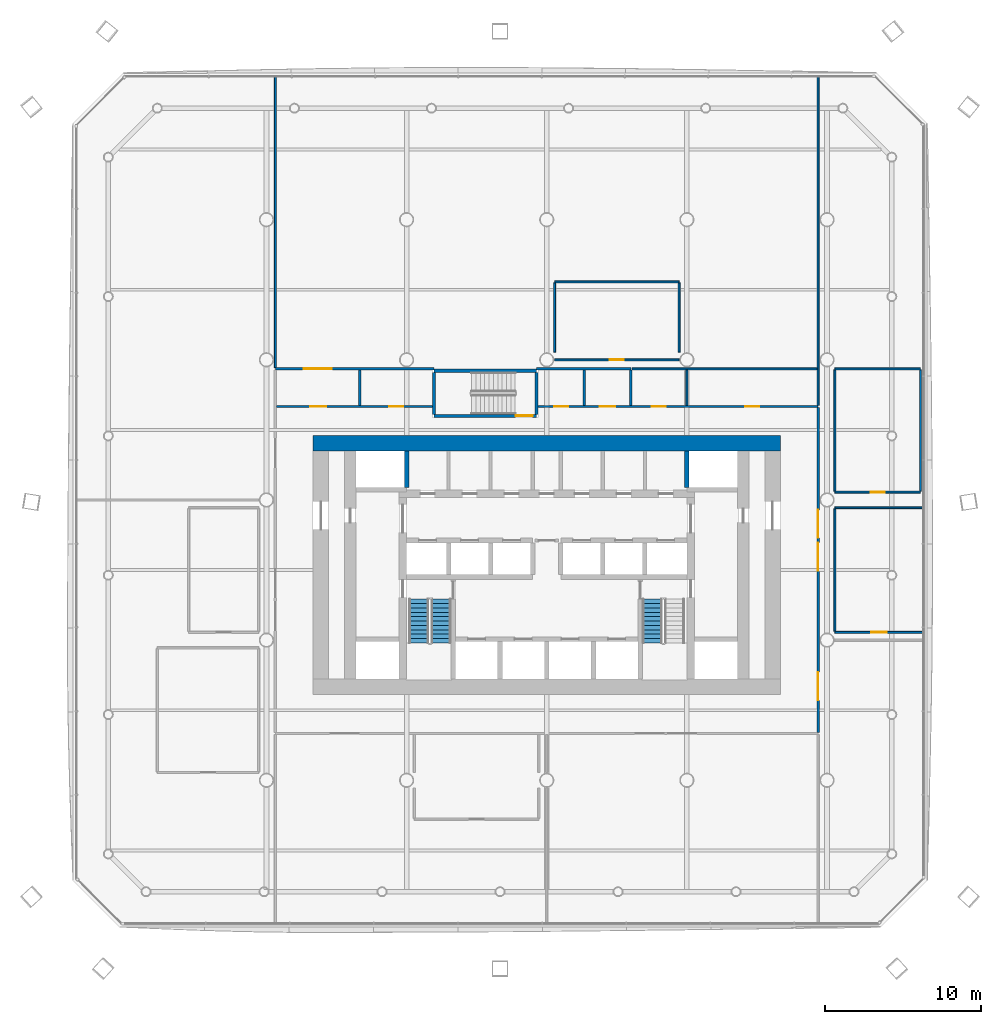
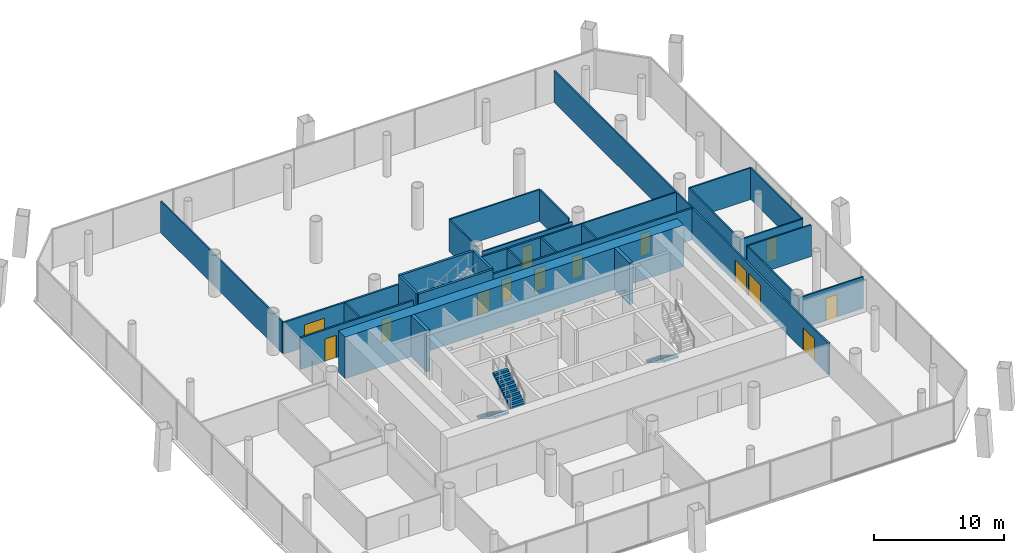
# One storey, part 16 of 22: 30 walls, 14 doors, 3 stair flights, 14 openings, 2 elements without a shape of their own.
"""IFC4 building model written with IfcOpenShell, lengths in metres."""

from ifc_helpers import new_model, si_unit, direction, frame, frame_2d, origin, place, context, subcontext, project, spatial, polyline, rectangle, outline, extrude, material, layer, layer_set, type_object, element, fill, aggregate, save


model = new_model("IFC4")

# Units and contexts
model_context = context("Model", 3, precision=1e-05, world=origin(), true_north=direction((0.0, 1.0)))
body_context = subcontext(model_context, "Body", "Model", "MODEL_VIEW")
ifc_project = project(units=[si_unit("LENGTHUNIT", "METRE"), si_unit("AREAUNIT", "SQUARE_METRE"), si_unit("VOLUMEUNIT", "CUBIC_METRE"), si_unit("PLANEANGLEUNIT", "RADIAN"), si_unit("MASSUNIT", "GRAM", prefix="KILO")], contexts=[model_context])

# Site, building, storey
site_placement = place(None, origin())
site = spatial("IfcSite", under=ifc_project, at=site_placement, CompositionType="ELEMENT")
building_placement = place(site_placement, origin())
building = spatial("IfcBuilding", under=site, at=building_placement, Name="Tskaro Facet Tower", CompositionType="ELEMENT")
storey_placement = place(building_placement, frame((0.0, 0.0, 26.39990234375)))
storey = spatial("IfcBuildingStorey", under=building, at=storey_placement, Name="L05", CompositionType="ELEMENT", Elevation=26.39990234375)

# Walls
ifc_material_1 = material(Name="Concrete C60/75", Category="concrete")
ifc_layer_1 = layer(ifc_material_1, 0.300048828125, Name="Concrete C60/75")
ifc_layer_set_1 = layer_set([ifc_layer_1], Name="Concrete C60/75")
wall_type_1 = type_object("IfcWallType", Name="CORE-SHAFT", PredefinedType="SHEAR", material=ifc_layer_set_1)
for number, where, z_axis, x_axis, name in (
    (1, (-9.0, 0.800048828125, 0.0), (0.0, 0.0, 1.0), (0.0, 1.0, 0.0), "Shaft wall W040"),
    (2, (9.0, 0.800048828125, 0.0), (0.0, 0.0, 1.0), (0.0, 1.0, 0.0), "Shaft wall W070"),
):
    element("IfcWall", number, at=place(storey_placement, frame(where, z_axis=z_axis, x_axis=x_axis)), inside=storey, type_object=wall_type_1, Name=name, PredefinedType="SHEAR", context=body_context, shape_type="SweptSolid", body=[
        extrude(rectangle(XDim=2.349853515625, YDim=0.300048828125, at=frame_2d((1.1748046875, 0.0))), origin(), (0.0, 0.0, 1.0), 3.900146484375),
    ])
ifc_layer_2 = layer(ifc_material_1, 1.0, Name="Concrete C60/75")
ifc_layer_set_2 = layer_set([ifc_layer_2], Name="Concrete C60/75")
wall_type_2 = type_object("IfcWallType", Name="Core wall 1000", PredefinedType="SHEAR", material=ifc_layer_set_2)
wall_1_placement = place(storey_placement, frame((-15.0, 3.64990234375, 0.0), z_axis=(0.0, 0.0, 1.0), x_axis=(1.0, 0.0, 0.0)))
element("IfcWall", 3, at=wall_1_placement, inside=storey, type_object=wall_type_2, Name="Core wall CW-Z1N", PredefinedType="SHEAR", context=body_context, shape_type="SweptSolid", body=[
    extrude(rectangle(XDim=30.0, YDim=1.0, at=frame_2d((15.0, 0.0))), origin(), (0.0, 0.0, 1.0), 3.900146484375),
])

# Wall, opening, door
ifc_material_2 = material(Name="Gypsum board on steel studs", Category="steel")
ifc_layer_3 = layer(ifc_material_2, 0.125, Name="Gypsum board on steel studs")
ifc_layer_set_3 = layer_set([ifc_layer_3], Name="Gypsum board on steel studs")
wall_type_3 = type_object("IfcWallType", Name="PART", PredefinedType="PARTITIONING", material=ifc_layer_set_3)
wall_2_placement = place(storey_placement, frame((18.5, -8.5, 0.0), z_axis=(0.0, 0.0, 1.0), x_axis=(1.0, 0.0, 0.0)))
wall_2 = element("IfcWall", 4, at=wall_2_placement, inside=storey, type_object=wall_type_3, Name="Partition W010", PredefinedType="PARTITIONING", context=body_context, shape_type="SweptSolid", body=[
    extrude(rectangle(XDim=5.652099609375, YDim=0.125, at=frame_2d((2.826171875, 0.0))), origin(), (0.0, 0.0, 1.0), 2.960205078125),
])
opening_1_placement = place(wall_2_placement, frame((2.325927734375, 0.0, 0.0)))
opening_1 = element("IfcOpeningElement", 5, at=opening_1_placement, cuts=wall_2, Name="Opening T1-D10", PredefinedType="OPENING", context=body_context, shape_type="SweptSolid", body=[
    extrude(rectangle(XDim=1.0, YDim=2.10009765625, at=frame_2d((0.5, 1.050048828125))), frame((0.0, 0.072509765625, 0.0), z_axis=(0.0, -1.0, 0.0), x_axis=(1.0, 0.0, 0.0)), (0.0, 0.0, 1.0), 0.14501953125),
])
ifc_material_3 = material(Name="Timber", Category="wood")
door_type_1 = type_object("IfcDoorType", Name="D-ROOM-WIDE", OperationType="NOTDEFINED", PredefinedType="DOOR", material=ifc_material_3)
door_1_placement = place(opening_1_placement, origin())
door_1 = element("IfcDoor", 6, at=door_1_placement, inside=storey, type_object=door_type_1, Name="Door T1-D10", OperationType="SINGLE_SWING_LEFT", OverallHeight=2.10009765625, OverallWidth=1.0, PredefinedType="DOOR", context=body_context, shape_type="SweptSolid", body=[
    extrude(rectangle(XDim=1.0, YDim=2.10009765625, at=frame_2d((0.5, 1.050048828125))), frame((0.0, 0.02490234375, 0.0), z_axis=(0.0, -1.0, 0.0), x_axis=(1.0, 0.0, 0.0)), (0.0, 0.0, 1.0), 0.050048828125),
])
fill(opening_1, door_1)

# Wall
wall_3_placement = place(storey_placement, frame((18.5, -0.5, 0.0), z_axis=(0.0, 0.0, 1.0), x_axis=(1.0, 0.0, 0.0)))
element("IfcWall", 7, at=wall_3_placement, inside=storey, type_object=wall_type_3, Name="Partition W017", PredefinedType="PARTITIONING", context=body_context, shape_type="SweptSolid", body=[
    extrude(rectangle(XDim=5.652099609375, YDim=0.125, at=frame_2d((2.826171875, 0.0))), origin(), (0.0, 0.0, 1.0), 2.960205078125),
])

# Wall, opening, door
wall_4_placement = place(storey_placement, frame((18.5, 0.5, 0.0), z_axis=(0.0, 0.0, 1.0), x_axis=(1.0, 0.0, 0.0)))
wall_4 = element("IfcWall", 8, at=wall_4_placement, inside=storey, type_object=wall_type_3, Name="Partition W019", PredefinedType="PARTITIONING", context=body_context, shape_type="SweptSolid", body=[
    extrude(rectangle(XDim=5.5, YDim=0.125, at=frame_2d((2.75, 0.0))), origin(), (0.0, 0.0, 1.0), 2.960205078125),
])
opening_2_placement = place(wall_4_placement, frame((2.300048828125, 0.0, 0.0)))
opening_2 = element("IfcOpeningElement", 9, at=opening_2_placement, cuts=wall_4, Name="Opening T1-D28", PredefinedType="OPENING", context=body_context, shape_type="SweptSolid", body=[
    extrude(rectangle(XDim=0.89990234375, YDim=2.10009765625, at=frame_2d((0.449951171875, 1.050048828125))), frame((0.0, 0.072509765625, 0.0), z_axis=(0.0, -1.0, 0.0), x_axis=(1.0, 0.0, 0.0)), (0.0, 0.0, 1.0), 0.14501953125),
])
door_type_2 = type_object("IfcDoorType", Name="D-ROOM", OperationType="NOTDEFINED", PredefinedType="DOOR", material=ifc_material_3)
door_2_placement = place(opening_2_placement, origin())
door_2 = element("IfcDoor", 10, at=door_2_placement, inside=storey, type_object=door_type_2, Name="Door T1-D28", OperationType="SINGLE_SWING_LEFT", OverallHeight=2.10009765625, OverallWidth=0.89990234375, PredefinedType="DOOR", context=body_context, shape_type="SweptSolid", body=[
    extrude(rectangle(XDim=0.89990234375, YDim=2.10009765625, at=frame_2d((0.449951171875, 1.050048828125))), frame((0.0, 0.02490234375, 0.0), z_axis=(0.0, -1.0, 0.0), x_axis=(1.0, 0.0, 0.0)), (0.0, 0.0, 1.0), 0.050048828125),
])
fill(opening_2, door_2)

# Walls
wall_5_placement = place(storey_placement, frame((5.47509765625, 8.425048828125, 0.0), z_axis=(0.0, 0.0, 1.0), x_axis=(1.0, 0.0, 0.0)))
element("IfcWall", 11, at=wall_5_placement, inside=storey, type_object=wall_type_3, Name="Partition W028", PredefinedType="PARTITIONING", context=body_context, shape_type="SweptSolid", body=[
    extrude(rectangle(XDim=11.887451171875, YDim=0.125, at=frame_2d((5.94384765625, 0.0))), origin(), (0.0, 0.0, 1.0), 2.960205078125),
])
wall_6_placement = place(storey_placement, frame((18.5, 8.425048828125, 0.0), z_axis=(0.0, 0.0, 1.0), x_axis=(1.0, 0.0, 0.0)))
element("IfcWall", 12, at=wall_6_placement, inside=storey, type_object=wall_type_3, Name="Partition W029", PredefinedType="PARTITIONING", context=body_context, shape_type="SweptSolid", body=[
    extrude(rectangle(XDim=5.5, YDim=0.125, at=frame_2d((2.75, 0.0))), origin(), (0.0, 0.0, 1.0), 2.960205078125),
])

# Wall, opening, door
wall_7_placement = place(storey_placement, frame((0.5, 9.0, 0.0), z_axis=(0.0, 0.0, 1.0), x_axis=(1.0, 0.0, 0.0)))
wall_7 = element("IfcWall", 13, at=wall_7_placement, inside=storey, type_object=wall_type_3, Name="Partition W030", PredefinedType="PARTITIONING", context=body_context, shape_type="SweptSolid", body=[
    extrude(rectangle(XDim=8.0, YDim=0.125, at=frame_2d((4.0, 0.0))), origin(), (0.0, 0.0, 1.0), 2.960205078125),
])
opening_3_placement = place(wall_7_placement, frame((3.550048828125, 0.0, 0.0)))
opening_3 = element("IfcOpeningElement", 14, at=opening_3_placement, cuts=wall_7, Name="Opening T1-D39", PredefinedType="OPENING", context=body_context, shape_type="SweptSolid", body=[
    extrude(rectangle(XDim=0.89990234375, YDim=2.10009765625, at=frame_2d((0.449951171875, 1.050048828125))), frame((0.0, 0.072509765625, 0.0), z_axis=(0.0, -1.0, 0.0), x_axis=(1.0, 0.0, 0.0)), (0.0, 0.0, 1.0), 0.14501953125),
])
door_3_placement = place(opening_3_placement, origin())
door_3 = element("IfcDoor", 15, at=door_3_placement, inside=storey, type_object=door_type_2, Name="Door T1-D39", OperationType="SINGLE_SWING_LEFT", OverallHeight=2.10009765625, OverallWidth=0.89990234375, PredefinedType="DOOR", context=body_context, shape_type="SweptSolid", body=[
    extrude(rectangle(XDim=0.89990234375, YDim=2.10009765625, at=frame_2d((0.449951171875, 1.050048828125))), frame((0.0, 0.02490234375, 0.0), z_axis=(0.0, -1.0, 0.0), x_axis=(1.0, 0.0, 0.0)), (0.0, 0.0, 1.0), 0.050048828125),
])
fill(opening_3, door_3)

# Walls
wall_8_placement = place(storey_placement, frame((0.5, 14.0, 0.0), z_axis=(0.0, 0.0, 1.0), x_axis=(1.0, 0.0, 0.0)))
element("IfcWall", 16, at=wall_8_placement, inside=storey, type_object=wall_type_3, Name="Partition W031", PredefinedType="PARTITIONING", context=body_context, shape_type="SweptSolid", body=[
    extrude(rectangle(XDim=8.0, YDim=0.125, at=frame_2d((4.0, 0.0))), origin(), (0.0, 0.0, 1.0), 2.960205078125),
])
wall_9_placement = place(storey_placement, frame((-17.425048828125, 8.5, 0.0), z_axis=(0.0, 0.0, 1.0), x_axis=(0.0, 1.0, 0.0)))
element("IfcWall", 17, at=wall_9_placement, inside=storey, type_object=wall_type_3, Name="Partition W038", PredefinedType="PARTITIONING", context=body_context, shape_type="SweptSolid", body=[
    extrude(rectangle(XDim=18.652099609375, YDim=0.125, at=frame_2d((9.326171875, 0.0))), origin(), (0.0, 0.0, 1.0), 2.960205078125),
])
for number, where, z_axis, x_axis, name in (
    (18, (0.5, 9.5, 0.0), (0.0, 0.0, 1.0), (0.0, 1.0, 0.0), "Partition W058"),
    (19, (8.5, 9.5, 0.0), (0.0, 0.0, 1.0), (0.0, 1.0, 0.0), "Partition W069"),
):
    element("IfcWall", number, at=place(storey_placement, frame(where, z_axis=z_axis, x_axis=x_axis)), inside=storey, type_object=wall_type_3, Name=name, PredefinedType="PARTITIONING", context=body_context, shape_type="SweptSolid", body=[
        extrude(rectangle(XDim=4.4375, YDim=0.125, at=frame_2d((2.21875, 0.0))), origin(), (0.0, 0.0, 1.0), 2.960205078125),
    ])
wall_10_placement = place(storey_placement, frame((9.0, 6.074951171875, 0.0), z_axis=(0.0, 0.0, 1.0), x_axis=(0.0, 1.0, 0.0)))
element("IfcWall", 20, at=wall_10_placement, inside=storey, type_object=wall_type_3, Name="Partition W071", PredefinedType="PARTITIONING", context=body_context, shape_type="SweptSolid", body=[
    extrude(rectangle(XDim=2.28759765625, YDim=0.125, at=frame_2d((1.143798828125, 0.0))), origin(), (0.0, 0.0, 1.0), 2.960205078125),
])
wall_11_placement = place(storey_placement, frame((17.425048828125, 6.074951171875, 0.0), z_axis=(0.0, 0.0, 1.0), x_axis=(0.0, 1.0, 0.0)))
element("IfcWall", 21, at=wall_11_placement, inside=storey, type_object=wall_type_3, Name="Partition W074", PredefinedType="PARTITIONING", context=body_context, shape_type="SweptSolid", body=[
    extrude(rectangle(XDim=21.0771484375, YDim=0.125, at=frame_2d((10.53857421875, 0.0))), origin(), (0.0, 0.0, 1.0), 2.960205078125),
])
wall_12_placement = place(storey_placement, frame((18.5, -8.4375, 0.0), z_axis=(0.0, 0.0, 1.0), x_axis=(0.0, 1.0, 0.0)))
element("IfcWall", 22, at=wall_12_placement, inside=storey, type_object=wall_type_3, Name="Partition W075", PredefinedType="PARTITIONING", context=body_context, shape_type="SweptSolid", body=[
    extrude(rectangle(XDim=7.875, YDim=0.125, at=frame_2d((3.9375, 0.0))), origin(), (0.0, 0.0, 1.0), 2.960205078125),
])
for number, where, z_axis, x_axis, name in (
    (23, (18.5, 0.5625, 0.0), (0.0, 0.0, 1.0), (0.0, 1.0, 0.0), "Partition W076"),
    (24, (24.0, 0.5625, 0.0), (0.0, 0.0, 1.0), (0.0, 1.0, 0.0), "Partition W077"),
):
    element("IfcWall", number, at=place(storey_placement, frame(where, z_axis=z_axis, x_axis=x_axis)), inside=storey, type_object=wall_type_3, Name=name, PredefinedType="PARTITIONING", context=body_context, shape_type="SweptSolid", body=[
        extrude(rectangle(XDim=7.800048828125, YDim=0.125, at=frame_2d((3.89990234375, 0.0))), origin(), (0.0, 0.0, 1.0), 2.960205078125),
    ])

# Wall, openings, doors
ifc_layer_4 = layer(ifc_material_2, 0.14990234375, Name="Gypsum board on steel studs")
ifc_layer_set_4 = layer_set([ifc_layer_4], Name="Gypsum board on steel studs")
wall_type_4 = type_object("IfcWallType", Name="PART-CORR", PredefinedType="PARTITIONING", material=ifc_layer_set_4)
wall_13_placement = place(storey_placement, frame((-7.35009765625, 6.0, 0.0), z_axis=(0.0, 0.0, 1.0), x_axis=(-1.0, 0.0, 0.0)))
wall_13 = element("IfcWall", 25, at=wall_13_placement, inside=storey, type_object=wall_type_4, Name="Corridor wall W023", PredefinedType="PARTITIONING", context=body_context, shape_type="SweptSolid", body=[
    extrude(rectangle(XDim=10.0, YDim=0.14990234375, at=frame_2d((5.0, 0.0))), origin(), (0.0, 0.0, 1.0), 2.960205078125),
])
opening_4_placement = place(wall_13_placement, frame((6.824951171875, 0.0, 0.0)))
opening_4 = element("IfcOpeningElement", 26, at=opening_4_placement, cuts=wall_13, Name="Opening T1-D32", PredefinedType="OPENING", context=body_context, shape_type="SweptSolid", body=[
    extrude(rectangle(XDim=1.0, YDim=2.10009765625, at=frame_2d((0.5, 1.050048828125))), frame((0.0, 0.0849609375, 0.0), z_axis=(0.0, -1.0, 0.0), x_axis=(1.0, 0.0, 0.0)), (0.0, 0.0, 1.0), 0.169921875),
])
opening_5_placement = place(wall_13_placement, frame((1.875, 0.0, 0.0)))
opening_5 = element("IfcOpeningElement", 27, at=opening_5_placement, cuts=wall_13, Name="Opening T1-D33", PredefinedType="OPENING", context=body_context, shape_type="SweptSolid", body=[
    extrude(rectangle(XDim=0.89990234375, YDim=2.10009765625, at=frame_2d((0.449951171875, 1.050048828125))), frame((0.0, 0.0849609375, 0.0), z_axis=(0.0, -1.0, 0.0), x_axis=(1.0, 0.0, 0.0)), (0.0, 0.0, 1.0), 0.169921875),
])
door_type_3 = type_object("IfcDoorType", Name="D-ENTRY", OperationType="NOTDEFINED", PredefinedType="DOOR", material=ifc_material_3)
door_4_placement = place(opening_4_placement, origin())
door_4 = element("IfcDoor", 28, at=door_4_placement, inside=storey, type_object=door_type_3, Name="Door T1-D32", OperationType="SINGLE_SWING_RIGHT", OverallHeight=2.10009765625, OverallWidth=1.0, PredefinedType="DOOR", context=body_context, shape_type="SweptSolid", body=[
    extrude(rectangle(XDim=1.0, YDim=2.10009765625, at=frame_2d((0.5, 1.050048828125))), frame((0.0, 0.02490234375, 0.0), z_axis=(0.0, -1.0, 0.0), x_axis=(1.0, 0.0, 0.0)), (0.0, 0.0, 1.0), 0.050048828125),
])
fill(opening_4, door_4)
door_5_placement = place(opening_5_placement, origin())
door_5 = element("IfcDoor", 29, at=door_5_placement, inside=storey, type_object=door_type_2, Name="Door T1-D33", OperationType="SINGLE_SWING_RIGHT", OverallHeight=2.10009765625, OverallWidth=0.89990234375, PredefinedType="DOOR", context=body_context, shape_type="SweptSolid", body=[
    extrude(rectangle(XDim=0.89990234375, YDim=2.10009765625, at=frame_2d((0.449951171875, 1.050048828125))), frame((0.0, 0.02490234375, 0.0), z_axis=(0.0, -1.0, 0.0), x_axis=(1.0, 0.0, 0.0)), (0.0, 0.0, 1.0), 0.050048828125),
])
fill(opening_5, door_5)

wall_14_placement = place(storey_placement, frame((-0.550048828125, 6.0, 0.0), z_axis=(0.0, 0.0, 1.0), x_axis=(1.0, 0.0, 0.0)))
wall_14 = element("IfcWall", 30, at=wall_14_placement, inside=storey, type_object=wall_type_4, Name="Corridor wall W024", PredefinedType="PARTITIONING", context=body_context, shape_type="SweptSolid", body=[
    extrude(rectangle(XDim=17.97509765625, YDim=0.14990234375, at=frame_2d((8.987548828125, 0.0))), origin(), (0.0, 0.0, 1.0), 2.960205078125),
])
opening_6_placement = place(wall_14_placement, frame((1.02490234375, 0.0, 0.0)))
opening_6 = element("IfcOpeningElement", 31, at=opening_6_placement, cuts=wall_14, Name="Opening T1-D34", PredefinedType="OPENING", context=body_context, shape_type="SweptSolid", body=[
    extrude(rectangle(XDim=0.89990234375, YDim=2.10009765625, at=frame_2d((0.449951171875, 1.050048828125))), frame((0.0, 0.0849609375, 0.0), z_axis=(0.0, -1.0, 0.0), x_axis=(1.0, 0.0, 0.0)), (0.0, 0.0, 1.0), 0.169921875),
])
opening_7_placement = place(wall_14_placement, frame((3.949951171875, 0.0, 0.0)))
opening_7 = element("IfcOpeningElement", 32, at=opening_7_placement, cuts=wall_14, Name="Opening T1-D35", PredefinedType="OPENING", context=body_context, shape_type="SweptSolid", body=[
    extrude(rectangle(XDim=1.0, YDim=2.10009765625, at=frame_2d((0.5, 1.050048828125))), frame((0.0, 0.0849609375, 0.0), z_axis=(0.0, -1.0, 0.0), x_axis=(1.0, 0.0, 0.0)), (0.0, 0.0, 1.0), 0.169921875),
])
opening_8_placement = place(wall_14_placement, frame((7.300048828125, 0.0, 0.0)))
opening_8 = element("IfcOpeningElement", 33, at=opening_8_placement, cuts=wall_14, Name="Opening T1-D36", PredefinedType="OPENING", context=body_context, shape_type="SweptSolid", body=[
    extrude(rectangle(XDim=0.89990234375, YDim=2.10009765625, at=frame_2d((0.449951171875, 1.050048828125))), frame((0.0, 0.0849609375, 0.0), z_axis=(0.0, -1.0, 0.0), x_axis=(1.0, 0.0, 0.0)), (0.0, 0.0, 1.0), 0.169921875),
])
opening_9_placement = place(wall_14_placement, frame((13.3125, 0.0, 0.0)))
opening_9 = element("IfcOpeningElement", 34, at=opening_9_placement, cuts=wall_14, Name="Opening T1-D37", PredefinedType="OPENING", context=body_context, shape_type="SweptSolid", body=[
    extrude(rectangle(XDim=0.89990234375, YDim=2.10009765625, at=frame_2d((0.449951171875, 1.050048828125))), frame((0.0, 0.0849609375, 0.0), z_axis=(0.0, -1.0, 0.0), x_axis=(1.0, 0.0, 0.0)), (0.0, 0.0, 1.0), 0.169921875),
])
door_6_placement = place(opening_6_placement, origin())
door_6 = element("IfcDoor", 35, at=door_6_placement, inside=storey, type_object=door_type_2, Name="Door T1-D34", OperationType="SINGLE_SWING_LEFT", OverallHeight=2.10009765625, OverallWidth=0.89990234375, PredefinedType="DOOR", context=body_context, shape_type="SweptSolid", body=[
    extrude(rectangle(XDim=0.89990234375, YDim=2.10009765625, at=frame_2d((0.449951171875, 1.050048828125))), frame((0.0, 0.02490234375, 0.0), z_axis=(0.0, -1.0, 0.0), x_axis=(1.0, 0.0, 0.0)), (0.0, 0.0, 1.0), 0.050048828125),
])
fill(opening_6, door_6)
door_7_placement = place(opening_8_placement, origin())
door_7 = element("IfcDoor", 36, at=door_7_placement, inside=storey, type_object=door_type_2, Name="Door T1-D36", OperationType="SINGLE_SWING_LEFT", OverallHeight=2.10009765625, OverallWidth=0.89990234375, PredefinedType="DOOR", context=body_context, shape_type="SweptSolid", body=[
    extrude(rectangle(XDim=0.89990234375, YDim=2.10009765625, at=frame_2d((0.449951171875, 1.050048828125))), frame((0.0, 0.02490234375, 0.0), z_axis=(0.0, -1.0, 0.0), x_axis=(1.0, 0.0, 0.0)), (0.0, 0.0, 1.0), 0.050048828125),
])
fill(opening_8, door_7)
door_8_placement = place(opening_9_placement, origin())
door_8 = element("IfcDoor", 37, at=door_8_placement, inside=storey, type_object=door_type_2, Name="Door T1-D37", OperationType="SINGLE_SWING_LEFT", OverallHeight=2.10009765625, OverallWidth=0.89990234375, PredefinedType="DOOR", context=body_context, shape_type="SweptSolid", body=[
    extrude(rectangle(XDim=0.89990234375, YDim=2.10009765625, at=frame_2d((0.449951171875, 1.050048828125))), frame((0.0, 0.02490234375, 0.0), z_axis=(0.0, -1.0, 0.0), x_axis=(1.0, 0.0, 0.0)), (0.0, 0.0, 1.0), 0.050048828125),
])
fill(opening_9, door_8)
door_9_placement = place(opening_7_placement, origin())
door_9 = element("IfcDoor", 38, at=door_9_placement, inside=storey, type_object=door_type_1, Name="Door T1-D35", OperationType="SINGLE_SWING_LEFT", OverallHeight=2.10009765625, OverallWidth=1.0, PredefinedType="DOOR", context=body_context, shape_type="SweptSolid", body=[
    extrude(rectangle(XDim=1.0, YDim=2.10009765625, at=frame_2d((0.5, 1.050048828125))), frame((0.0, 0.02490234375, 0.0), z_axis=(0.0, -1.0, 0.0), x_axis=(1.0, 0.0, 0.0)), (0.0, 0.0, 1.0), 0.050048828125),
])
fill(opening_7, door_9)

# Wall, opening, door
wall_15_placement = place(storey_placement, frame((-17.425048828125, 8.425048828125, 0.0), z_axis=(0.0, 0.0, 1.0), x_axis=(1.0, 0.0, 0.0)))
wall_15 = element("IfcWall", 39, at=wall_15_placement, inside=storey, type_object=wall_type_4, Name="Corridor wall W026", PredefinedType="PARTITIONING", context=body_context, shape_type="SweptSolid", body=[
    extrude(rectangle(XDim=10.175048828125, YDim=0.14990234375, at=frame_2d((5.08740234375, 0.0))), origin(), (0.0, 0.0, 1.0), 2.960205078125),
])
opening_10_placement = place(wall_15_placement, frame((1.8125, 0.0, 0.0)))
opening_10 = element("IfcOpeningElement", 40, at=opening_10_placement, cuts=wall_15, Name="Opening T1-D38", PredefinedType="OPENING", context=body_context, shape_type="SweptSolid", body=[
    extrude(rectangle(XDim=1.800048828125, YDim=2.10009765625, at=frame_2d((0.89990234375, 1.050048828125))), frame((0.0, 0.0849609375, 0.0), z_axis=(0.0, -1.0, 0.0), x_axis=(1.0, 0.0, 0.0)), (0.0, 0.0, 1.0), 0.169921875),
])
ifc_material_4 = material(Name="Glass", Category="glass")
door_type_4 = type_object("IfcDoorType", Name="D-ENTRY-PAIR", OperationType="NOTDEFINED", PredefinedType="DOOR", material=ifc_material_4)
door_10_placement = place(opening_10_placement, origin())
door_10 = element("IfcDoor", 41, at=door_10_placement, inside=storey, type_object=door_type_4, Name="Door T1-D38", OperationType="DOUBLE_DOOR_SINGLE_SWING", OverallHeight=2.10009765625, OverallWidth=1.800048828125, PredefinedType="DOOR", context=body_context, shape_type="SweptSolid", body=[
    extrude(rectangle(XDim=1.800048828125, YDim=2.10009765625, at=frame_2d((0.89990234375, 1.050048828125))), frame((0.0, 0.02490234375, 0.0), z_axis=(0.0, -1.0, 0.0), x_axis=(1.0, 0.0, 0.0)), (0.0, 0.0, 1.0), 0.050048828125),
])
fill(opening_10, door_10)

# Walls
wall_16_placement = place(storey_placement, frame((-0.64990234375, 8.425048828125, 0.0), z_axis=(0.0, 0.0, 1.0), x_axis=(1.0, 0.0, 0.0)))
element("IfcWall", 42, at=wall_16_placement, inside=storey, type_object=wall_type_4, Name="Corridor wall W027", PredefinedType="PARTITIONING", context=body_context, shape_type="SweptSolid", body=[
    extrude(rectangle(XDim=6.0498046875, YDim=0.14990234375, at=frame_2d((3.02490234375, 0.0))), origin(), (0.0, 0.0, 1.0), 2.960205078125),
])
for number, where, z_axis, x_axis, name in (
    (43, (-12.0, 6.074951171875, 0.0), (0.0, 0.0, 1.0), (0.0, 1.0, 0.0), "Corridor wall W039"),
    (44, (2.39990234375, 6.074951171875, 0.0), (0.0, 0.0, 1.0), (0.0, 1.0, 0.0), "Corridor wall W061"),
    (45, (5.39990234375, 6.074951171875, 0.0), (0.0, 0.0, 1.0), (0.0, 1.0, 0.0), "Corridor wall W065"),
):
    element("IfcWall", number, at=place(storey_placement, frame(where, z_axis=z_axis, x_axis=x_axis)), inside=storey, type_object=wall_type_4, Name=name, PredefinedType="PARTITIONING", context=body_context, shape_type="SweptSolid", body=[
        extrude(rectangle(XDim=2.275146484375, YDim=0.14990234375, at=frame_2d((1.1376953125, 0.0))), origin(), (0.0, 0.0, 1.0), 2.960205078125),
    ])

# Wall, openings, doors
wall_17_placement = place(storey_placement, frame((17.425048828125, -14.925048828125, 0.0), z_axis=(0.0, 0.0, 1.0), x_axis=(0.0, 1.0, 0.0)))
wall_17 = element("IfcWall", 46, at=wall_17_placement, inside=storey, type_object=wall_type_4, Name="Corridor wall W073", PredefinedType="PARTITIONING", context=body_context, shape_type="SweptSolid", body=[
    extrude(rectangle(XDim=20.85009765625, YDim=0.14990234375, at=frame_2d((10.425048828125, 0.0))), origin(), (0.0, 0.0, 1.0), 2.960205078125),
])
opening_11_placement = place(wall_17_placement, frame((2.0625, 0.0, 0.0)))
opening_11 = element("IfcOpeningElement", 47, at=opening_11_placement, cuts=wall_17, Name="Opening T1-D06", PredefinedType="OPENING", context=body_context, shape_type="SweptSolid", body=[
    extrude(rectangle(XDim=1.800048828125, YDim=2.10009765625, at=frame_2d((0.89990234375, 1.050048828125))), frame((0.0, 0.0849609375, 0.0), z_axis=(0.0, -1.0, 0.0), x_axis=(1.0, 0.0, 0.0)), (0.0, 0.0, 1.0), 0.169921875),
])
opening_12_placement = place(wall_17_placement, frame((12.487548828125, 0.0, 0.0)))
opening_12 = element("IfcOpeningElement", 48, at=opening_12_placement, cuts=wall_17, Name="Opening T1-D14", PredefinedType="OPENING", context=body_context, shape_type="SweptSolid", body=[
    extrude(rectangle(XDim=1.800048828125, YDim=2.10009765625, at=frame_2d((0.89990234375, 1.050048828125))), frame((0.0, 0.0849609375, 0.0), z_axis=(0.0, -1.0, 0.0), x_axis=(1.0, 0.0, 0.0)), (0.0, 0.0, 1.0), 0.169921875),
])
opening_13_placement = place(wall_17_placement, frame((10.387451171875, 0.0, 0.0)))
opening_13 = element("IfcOpeningElement", 49, at=opening_13_placement, cuts=wall_17, Name="Opening T1-D13", PredefinedType="OPENING", context=body_context, shape_type="SweptSolid", body=[
    extrude(rectangle(XDim=1.800048828125, YDim=2.10009765625, at=frame_2d((0.89990234375, 1.050048828125))), frame((0.0, 0.0849609375, 0.0), z_axis=(0.0, -1.0, 0.0), x_axis=(1.0, 0.0, 0.0)), (0.0, 0.0, 1.0), 0.169921875),
])
door_11_placement = place(opening_11_placement, origin())
door_11 = element("IfcDoor", 50, at=door_11_placement, inside=storey, type_object=door_type_4, Name="Door T1-D06", OperationType="DOUBLE_DOOR_SINGLE_SWING", OverallHeight=2.10009765625, OverallWidth=1.800048828125, PredefinedType="DOOR", context=body_context, shape_type="SweptSolid", body=[
    extrude(rectangle(XDim=1.800048828125, YDim=2.10009765625, at=frame_2d((0.89990234375, 1.050048828125))), frame((0.0, 0.02490234375, 0.0), z_axis=(0.0, -1.0, 0.0), x_axis=(1.0, 0.0, 0.0)), (0.0, 0.0, 1.0), 0.050048828125),
])
fill(opening_11, door_11)
door_12_placement = place(opening_12_placement, origin())
door_12 = element("IfcDoor", 51, at=door_12_placement, inside=storey, type_object=door_type_4, Name="Door T1-D14", OperationType="DOUBLE_DOOR_SINGLE_SWING", OverallHeight=2.10009765625, OverallWidth=1.800048828125, PredefinedType="DOOR", context=body_context, shape_type="SweptSolid", body=[
    extrude(rectangle(XDim=1.800048828125, YDim=2.10009765625, at=frame_2d((0.89990234375, 1.050048828125))), frame((0.0, 0.02490234375, 0.0), z_axis=(0.0, -1.0, 0.0), x_axis=(1.0, 0.0, 0.0)), (0.0, 0.0, 1.0), 0.050048828125),
])
fill(opening_12, door_12)
door_13_placement = place(opening_13_placement, origin())
door_13 = element("IfcDoor", 52, at=door_13_placement, inside=storey, type_object=door_type_4, Name="Door T1-D13", OperationType="DOUBLE_DOOR_SINGLE_SWING", OverallHeight=2.10009765625, OverallWidth=1.800048828125, PredefinedType="DOOR", context=body_context, shape_type="SweptSolid", body=[
    extrude(rectangle(XDim=1.800048828125, YDim=2.10009765625, at=frame_2d((0.89990234375, 1.050048828125))), frame((0.0, 0.02490234375, 0.0), z_axis=(0.0, -1.0, 0.0), x_axis=(1.0, 0.0, 0.0)), (0.0, 0.0, 1.0), 0.050048828125),
])
fill(opening_13, door_13)

# Wall, opening, door
ifc_layer_5 = layer(ifc_material_1, 0.199951171875, Name="Concrete C60/75")
ifc_layer_set_5 = layer_set([ifc_layer_5], Name="Concrete C60/75")
wall_type_5 = type_object("IfcWallType", Name="STAIR-WALL", PredefinedType="SHEAR", material=ifc_layer_set_5)
wall_18_placement = place(storey_placement, frame((-7.25, 5.39990234375, 0.0), z_axis=(0.0, 0.0, 1.0), x_axis=(1.0, 0.0, 0.0)))
wall_18 = element("IfcWall", 53, at=wall_18_placement, inside=storey, type_object=wall_type_5, Name="Stair wall W022", PredefinedType="SHEAR", context=body_context, shape_type="SweptSolid", body=[
    extrude(rectangle(XDim=6.60009765625, YDim=0.199951171875, at=frame_2d((3.300048828125, 0.0))), origin(), (0.0, 0.0, 1.0), 3.900146484375),
])
opening_14_placement = place(wall_18_placement, frame((5.25, 0.0, 0.0)))
opening_14 = element("IfcOpeningElement", 54, at=opening_14_placement, cuts=wall_18, Name="Opening ST-3-D1", PredefinedType="OPENING", context=body_context, shape_type="SweptSolid", body=[
    extrude(rectangle(XDim=1.10009765625, YDim=2.10009765625, at=frame_2d((0.550048828125, 1.050048828125))), frame((0.0, 0.10986328125, 0.0), z_axis=(0.0, -1.0, 0.0), x_axis=(1.0, 0.0, 0.0)), (0.0, 0.0, 1.0), 0.219970703125),
])
ifc_material_5 = material(Name="Steel", Category="steel")
door_type_5 = type_object("IfcDoorType", Name="D-STAIR", OperationType="NOTDEFINED", PredefinedType="DOOR", material=ifc_material_5)
door_14_placement = place(opening_14_placement, origin())
door_14 = element("IfcDoor", 55, at=door_14_placement, inside=storey, type_object=door_type_5, Name="Stair door 3", OperationType="SINGLE_SWING_LEFT", OverallHeight=2.10009765625, OverallWidth=1.10009765625, PredefinedType="DOOR", context=body_context, shape_type="SweptSolid", body=[
    extrude(rectangle(XDim=1.10009765625, YDim=2.10009765625, at=frame_2d((0.550048828125, 1.050048828125))), frame((0.0, 0.02490234375, 0.0), z_axis=(0.0, -1.0, 0.0), x_axis=(1.0, 0.0, 0.0)), (0.0, 0.0, 1.0), 0.050048828125),
])
fill(opening_14, door_14)

# Walls
wall_19_placement = place(storey_placement, frame((-7.25, 8.300048828125, 0.0), z_axis=(0.0, 0.0, 1.0), x_axis=(1.0, 0.0, 0.0)))
element("IfcWall", 56, at=wall_19_placement, inside=storey, type_object=wall_type_5, Name="Stair wall W025", PredefinedType="SHEAR", context=body_context, shape_type="SweptSolid", body=[
    extrude(rectangle(XDim=6.60009765625, YDim=0.199951171875, at=frame_2d((3.300048828125, 0.0))), origin(), (0.0, 0.0, 1.0), 3.900146484375),
])
for number, where, z_axis, x_axis, name in (
    (57, (-7.25, 5.5, 0.0), (0.0, 0.0, 1.0), (0.0, 1.0, 0.0), "Stair wall W043"),
    (58, (-0.64990234375, 5.5, 0.0), (0.0, 0.0, 1.0), (0.0, 1.0, 0.0), "Stair wall W052"),
):
    element("IfcWall", number, at=place(storey_placement, frame(where, z_axis=z_axis, x_axis=x_axis)), inside=storey, type_object=wall_type_5, Name=name, PredefinedType="SHEAR", context=body_context, shape_type="SweptSolid", body=[
        extrude(rectangle(XDim=2.699951171875, YDim=0.199951171875, at=frame_2d((1.35009765625, 0.0))), origin(), (0.0, 0.0, 1.0), 3.900146484375),
    ])

# Stair, stair flights
ifc_material_6 = material(Name="Concrete C40/50", Category="concrete")
stair_type = type_object("IfcStairType", Name="ST-TWR", PredefinedType="HALF_TURN_STAIR", material=ifc_material_6)
stair_1_placement = place(storey_placement, origin())
stair_1 = element("IfcStair", 59, at=stair_1_placement, inside=storey, type_object=stair_type, Name="L05 Exit stair 1", PredefinedType="HALF_TURN_STAIR")
stair_flight_type = type_object("IfcStairFlightType", Name="SFL-RC", PredefinedType="STRAIGHT", material=ifc_material_6)
stair_flight_1_placement = place(storey_placement, frame((-8.21240234375, -6.375, 0.0), z_axis=(0.0, 0.0, 1.0), x_axis=(0.0, -1.0, 0.0)))
stair_flight_1 = element("IfcStairFlight", 60, at=stair_flight_1_placement, type_object=stair_flight_type, Name="ST-1 flight 1", NumberOfRisers=11, NumberOfTreads=10, PredefinedType="STRAIGHT", RiserHeight=0.177272727, TreadLength=0.28, context=body_context, shape_type="SweptSolid", body=[
    extrude(outline(polyline([(0.0, 0.0), (0.0, 0.17724609375), (0.280029296875, 0.17724609375), (0.280029296875, 0.3544921875), (0.56005859375, 0.3544921875), (0.56005859375, 0.53173828125), (0.840087890625, 0.53173828125), (0.840087890625, 0.708984375), (1.1201171875, 0.708984375), (1.1201171875, 0.886474609375), (1.39990234375, 0.886474609375), (1.39990234375, 1.063720703125), (1.679931640625, 1.063720703125), (1.679931640625, 1.240966796875), (1.9599609375, 1.240966796875), (1.9599609375, 1.418212890625), (2.239990234375, 1.418212890625), (2.239990234375, 1.595458984375), (2.52001953125, 1.595458984375), (2.52001953125, 1.772705078125), (2.800048828125, 1.772705078125), (2.800048828125, 1.949951171875), (2.800048828125, 1.59521484375), (0.2802734375, 0.0), (0.0, 0.0)])), frame((0.0, 0.637451171875, 0.0), z_axis=(0.0, -1.0, 0.0), x_axis=(1.0, 0.0, 0.0)), (0.0, 0.0, 1.0), 1.27490234375),
])
stair_flight_2_placement = place(storey_placement, frame((-6.78759765625, -9.175048828125, 1.9501953125), z_axis=(0.0, 0.0, 1.0), x_axis=(0.0, 1.0, 0.0)))
stair_flight_2 = element("IfcStairFlight", 61, at=stair_flight_2_placement, type_object=stair_flight_type, Name="ST-1 flight 2", NumberOfRisers=11, NumberOfTreads=10, PredefinedType="STRAIGHT", RiserHeight=0.177272727, TreadLength=0.28, context=body_context, shape_type="SweptSolid", body=[
    extrude(outline(polyline([(0.0, 0.0), (0.0, 0.17724609375), (0.280029296875, 0.17724609375), (0.280029296875, 0.3544921875), (0.56005859375, 0.3544921875), (0.56005859375, 0.53173828125), (0.840087890625, 0.53173828125), (0.840087890625, 0.708984375), (1.1201171875, 0.708984375), (1.1201171875, 0.886474609375), (1.39990234375, 0.886474609375), (1.39990234375, 1.063720703125), (1.679931640625, 1.063720703125), (1.679931640625, 1.240966796875), (1.9599609375, 1.240966796875), (1.9599609375, 1.418212890625), (2.239990234375, 1.418212890625), (2.239990234375, 1.595458984375), (2.52001953125, 1.595458984375), (2.52001953125, 1.772705078125), (2.800048828125, 1.772705078125), (2.800048828125, 1.949951171875), (2.800048828125, 1.59521484375), (0.2802734375, 0.0), (0.0, 0.0)])), frame((0.0, 0.637451171875, 0.0), z_axis=(0.0, -1.0, 0.0), x_axis=(1.0, 0.0, 0.0)), (0.0, 0.0, 1.0), 1.27490234375),
])
aggregate(stair_1, [stair_flight_1, stair_flight_2])

# Stair, stair flight
stair_2_placement = place(storey_placement, origin())
stair_2 = element("IfcStair", 62, at=stair_2_placement, inside=storey, type_object=stair_type, Name="L05 Exit stair 2", PredefinedType="HALF_TURN_STAIR")
stair_flight_3_placement = place(storey_placement, frame((6.78759765625, -6.375, 0.0), z_axis=(0.0, 0.0, 1.0), x_axis=(0.0, -1.0, 0.0)))
stair_flight_3 = element("IfcStairFlight", 63, at=stair_flight_3_placement, type_object=stair_flight_type, Name="ST-2 flight 1", NumberOfRisers=11, NumberOfTreads=10, PredefinedType="STRAIGHT", RiserHeight=0.177272727, TreadLength=0.28, context=body_context, shape_type="SweptSolid", body=[
    extrude(outline(polyline([(0.0, 0.0), (0.0, 0.17724609375), (0.280029296875, 0.17724609375), (0.280029296875, 0.3544921875), (0.56005859375, 0.3544921875), (0.56005859375, 0.53173828125), (0.840087890625, 0.53173828125), (0.840087890625, 0.708984375), (1.1201171875, 0.708984375), (1.1201171875, 0.886474609375), (1.39990234375, 0.886474609375), (1.39990234375, 1.063720703125), (1.679931640625, 1.063720703125), (1.679931640625, 1.240966796875), (1.9599609375, 1.240966796875), (1.9599609375, 1.418212890625), (2.239990234375, 1.418212890625), (2.239990234375, 1.595458984375), (2.52001953125, 1.595458984375), (2.52001953125, 1.772705078125), (2.800048828125, 1.772705078125), (2.800048828125, 1.949951171875), (2.800048828125, 1.59521484375), (0.2802734375, 0.0), (0.0, 0.0)])), frame((0.0, 0.637451171875, 0.0), z_axis=(0.0, -1.0, 0.0), x_axis=(1.0, 0.0, 0.0)), (0.0, 0.0, 1.0), 1.27490234375),
])
aggregate(stair_2, [stair_flight_3])

save(model, "model.ifc")
